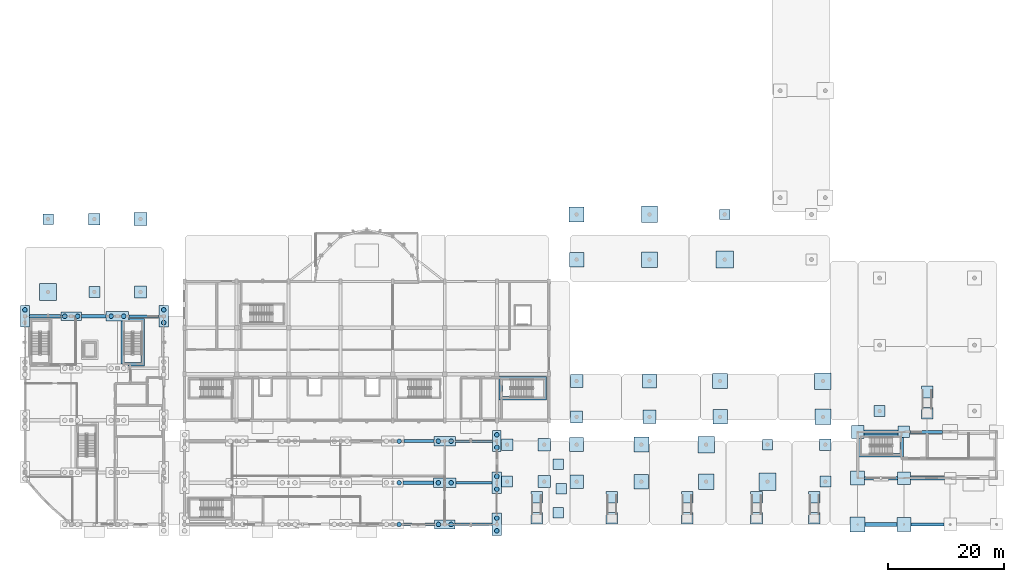
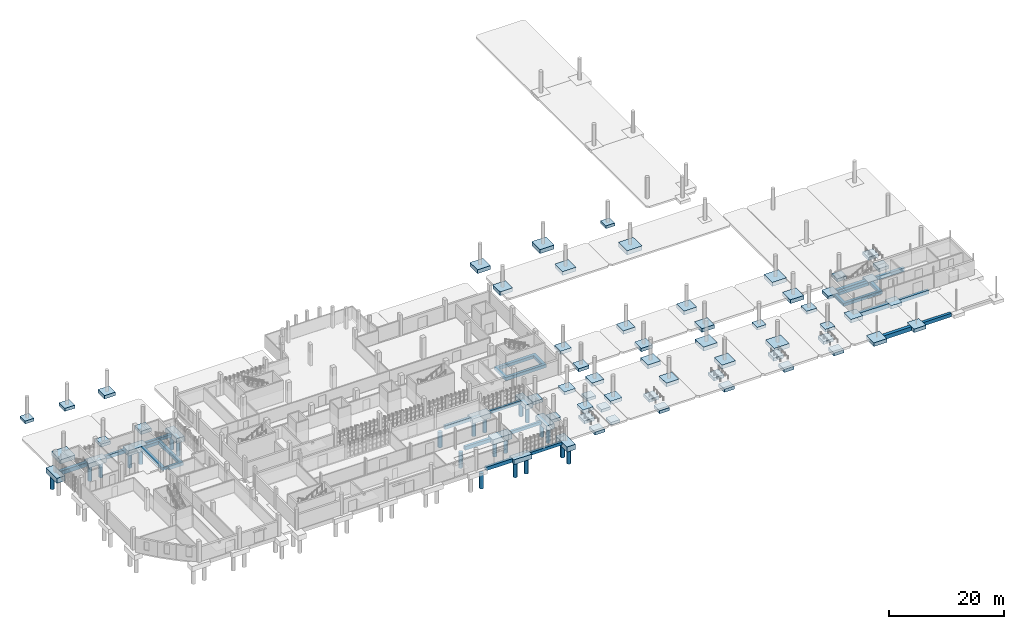
# One storey, part 2 of 63: 85 footings, 22 piles.
"""IFC4 building model written with IfcOpenShell, lengths in metres."""

from ifc_helpers import new_model, si_unit, direction, frame, origin, origin_2d, place, context, subcontext, project, spatial, polyline, rectangle, circle, outline, extrude, material, material_profile, profile_set, type_object, element, save


model = new_model("IFC4")

# Units and contexts
model_context = context("Model", 3, precision=1e-05, world=origin(), true_north=direction((0.0, 1.0)))
body_context = subcontext(model_context, "Body", "Model", "MODEL_VIEW")
ifc_project = project(units=[si_unit("LENGTHUNIT", "METRE"), si_unit("AREAUNIT", "SQUARE_METRE"), si_unit("VOLUMEUNIT", "CUBIC_METRE"), si_unit("PLANEANGLEUNIT", "RADIAN"), si_unit("MASSUNIT", "GRAM", prefix="KILO")], contexts=[model_context])

# Site, building, storey
site_placement = place(None, origin())
site = spatial("IfcSite", under=ifc_project, at=site_placement, CompositionType="ELEMENT")
building_placement = place(site_placement, origin())
building = spatial("IfcBuilding", under=site, at=building_placement, Name="Serraforn Aerial Cableway Station", CompositionType="ELEMENT")
storey_placement = place(building_placement, origin())
storey = spatial("IfcBuildingStorey", under=building, at=storey_placement, Name="L00", CompositionType="ELEMENT", Elevation=0.0)

# Footings
ifc_material = material(Name="Concrete C35/45", Category="concrete")
footing_type_1 = type_object("IfcFootingType", Name="FT-FB-450x650", PredefinedType="FOOTING_BEAM", material=ifc_material)
footing_1_placement = place(storey_placement, frame((0.0, 0.0, -0.64990234375)))
element("IfcFooting", 1, at=footing_1_placement, inside=storey, type_object=footing_type_1, Name="Footing Tie Beam W Y=36.0 #3", PredefinedType="FOOTING_BEAM", context=body_context, shape_type="SweptSolid", body=[
    extrude(outline(polyline([(23.195068359375, 36.22509765625), (23.195068359375, 35.77490234375), (17.955078125, 35.77490234375), (17.955078125, 36.22509765625), (23.195068359375, 36.22509765625)])), origin(), (0.0, 0.0, 1.0), 0.64990234375),
])
footing_2_placement = place(storey_placement, frame((0.0, 0.0, -0.64990234375)))
element("IfcFooting", 2, at=footing_2_placement, inside=storey, type_object=footing_type_1, Name="Footing Tie Beam CF Y=0.0 #6", PredefinedType="FOOTING_BEAM", context=body_context, shape_type="SweptSolid", body=[
    extrude(outline(polyline([(80.7451171875, 0.22509765625), (80.7451171875, -0.22509765625), (74.405029296875, -0.22509765625), (74.405029296875, 0.22509765625), (80.7451171875, 0.22509765625)])), origin(), (0.0, 0.0, 1.0), 0.64990234375),
])
footing_3_placement = place(storey_placement, frame((0.0, 0.0, -0.64990234375)))
element("IfcFooting", 3, at=footing_3_placement, inside=storey, type_object=footing_type_1, Name="Footing Tie Beam CF Y=7.2 #6", PredefinedType="FOOTING_BEAM", context=body_context, shape_type="SweptSolid", body=[
    extrude(outline(polyline([(80.794921875, 7.425048828125), (80.794921875, 6.97509765625), (74.554931640625, 6.97509765625), (74.554931640625, 7.425048828125), (80.794921875, 7.425048828125)])), origin(), (0.0, 0.0, 1.0), 0.64990234375),
])
footing_4_placement = place(storey_placement, frame((0.0, 0.0, -0.64990234375)))
element("IfcFooting", 4, at=footing_4_placement, inside=storey, type_object=footing_type_1, Name="Footing Tie Beam CF Y=14.4 #6", PredefinedType="FOOTING_BEAM", context=body_context, shape_type="SweptSolid", body=[
    extrude(outline(polyline([(80.844970703125, 14.625), (80.844970703125, 14.175048828125), (74.47998046875, 14.175048828125), (74.47998046875, 14.625), (80.844970703125, 14.625)])), origin(), (0.0, 0.0, 1.0), 0.64990234375),
])
footing_type_2 = type_object("IfcFootingType", Name="FT-FB-550x750", PredefinedType="FOOTING_BEAM", material=ifc_material)
footing_5_placement = place(storey_placement, frame((0.0, 0.0, -0.75)))
element("IfcFooting", 5, at=footing_5_placement, inside=storey, type_object=footing_type_2, Name="Footing Tie Beam W Y=36.0 #2", PredefinedType="FOOTING_BEAM", context=body_context, shape_type="SweptSolid", body=[
    extrude(outline(polyline([(14.044921875, 36.27490234375), (14.044921875, 35.72509765625), (9.804931640625, 35.72509765625), (9.804931640625, 36.27490234375), (14.044921875, 36.27490234375)])), origin(), (0.0, 0.0, 1.0), 0.75),
])
footing_6_placement = place(storey_placement, frame((0.0, 0.0, -0.75)))
element("IfcFooting", 6, at=footing_6_placement, inside=storey, type_object=footing_type_2, Name="Footing Tie Beam CF Y=0.0 #5", PredefinedType="FOOTING_BEAM", context=body_context, shape_type="SweptSolid", body=[
    extrude(outline(polyline([(70.794921875, 0.27490234375), (70.794921875, -0.27490234375), (65.47998046875, -0.27490234375), (65.47998046875, 0.27490234375), (70.794921875, 0.27490234375)])), origin(), (0.0, 0.0, 1.0), 0.75),
])
footing_7_placement = place(storey_placement, frame((0.0, 0.0, -0.75)))
element("IfcFooting", 7, at=footing_7_placement, inside=storey, type_object=footing_type_2, Name="Footing Tie Beam CF Y=7.2 #5", PredefinedType="FOOTING_BEAM", context=body_context, shape_type="SweptSolid", body=[
    extrude(outline(polyline([(70.64501953125, 7.47509765625), (70.64501953125, 6.925048828125), (65.405029296875, 6.925048828125), (65.405029296875, 7.47509765625), (70.64501953125, 7.47509765625)])), origin(), (0.0, 0.0, 1.0), 0.75),
])
footing_8_placement = place(storey_placement, frame((0.0, 0.0, -0.75)))
element("IfcFooting", 8, at=footing_8_placement, inside=storey, type_object=footing_type_2, Name="Footing Tie Beam CF Y=14.4 #5", PredefinedType="FOOTING_BEAM", context=body_context, shape_type="SweptSolid", body=[
    extrude(outline(polyline([(70.719970703125, 14.675048828125), (70.719970703125, 14.125), (65.554931640625, 14.125), (65.554931640625, 14.675048828125), (70.719970703125, 14.675048828125)])), origin(), (0.0, 0.0, 1.0), 0.75),
])
footing_9_placement = place(storey_placement, frame((0.0, 0.0, -0.75)))
element("IfcFooting", 9, at=footing_9_placement, inside=storey, type_object=footing_type_2, Name="Footing Tie Beam ES Y=0.0 #2", PredefinedType="FOOTING_BEAM", context=body_context, shape_type="SweptSolid", body=[
    extrude(outline(polyline([(158.89501953125, 0.27490234375), (158.89501953125, -0.27490234375), (153.205078125, -0.27490234375), (153.205078125, 0.27490234375), (158.89501953125, 0.27490234375)])), origin(), (0.0, 0.0, 1.0), 0.75),
])
footing_10_placement = place(storey_placement, frame((0.0, 0.0, -0.75)))
element("IfcFooting", 10, at=footing_10_placement, inside=storey, type_object=footing_type_2, Name="Footing Tie Beam ES Y=8.0 #2", PredefinedType="FOOTING_BEAM", context=body_context, shape_type="SweptSolid", body=[
    extrude(outline(polyline([(158.9951171875, 8.27490234375), (158.9951171875, 7.72509765625), (153.10498046875, 7.72509765625), (153.10498046875, 8.27490234375), (158.9951171875, 8.27490234375)])), origin(), (0.0, 0.0, 1.0), 0.75),
])
footing_11_placement = place(storey_placement, frame((0.0, 0.0, -0.75)))
element("IfcFooting", 11, at=footing_11_placement, inside=storey, type_object=footing_type_2, Name="Footing Tie Beam ES Y=16.0 #2", PredefinedType="FOOTING_BEAM", context=body_context, shape_type="SweptSolid", body=[
    extrude(outline(polyline([(158.695068359375, 16.27490234375), (158.695068359375, 15.72509765625), (153.0048828125, 15.72509765625), (153.0048828125, 16.27490234375), (158.695068359375, 16.27490234375)])), origin(), (0.0, 0.0, 1.0), 0.75),
])
footing_type_3 = type_object("IfcFootingType", Name="FT-FB-650x850", PredefinedType="FOOTING_BEAM", material=ifc_material)
footing_12_placement = place(storey_placement, frame((0.0, 0.0, -0.85009765625)))
element("IfcFooting", 12, at=footing_12_placement, inside=storey, type_object=footing_type_3, Name="Footing Tie Beam W Y=36.0 #1", PredefinedType="FOOTING_BEAM", context=body_context, shape_type="SweptSolid", body=[
    extrude(outline(polyline([(6.195068359375, 36.324951171875), (6.195068359375, 35.675048828125), (0.804931640625, 35.675048828125), (0.804931640625, 36.324951171875), (6.195068359375, 36.324951171875)])), origin(), (0.0, 0.0, 1.0), 0.85009765625),
])
footing_13_placement = place(storey_placement, frame((0.0, 0.0, -0.85009765625)))
element("IfcFooting", 13, at=footing_13_placement, inside=storey, type_object=footing_type_3, Name="Footing Tie Beam ES Y=0.0 #1", PredefinedType="FOOTING_BEAM", context=body_context, shape_type="SweptSolid", body=[
    extrude(outline(polyline([(150.794921875, 0.324951171875), (150.794921875, -0.324951171875), (145.304931640625, -0.324951171875), (145.304931640625, 0.324951171875), (150.794921875, 0.324951171875)])), origin(), (0.0, 0.0, 1.0), 0.85009765625),
])
footing_14_placement = place(storey_placement, frame((0.0, 0.0, -0.85009765625)))
element("IfcFooting", 14, at=footing_14_placement, inside=storey, type_object=footing_type_3, Name="Footing Tie Beam ES Y=8.0 #1", PredefinedType="FOOTING_BEAM", context=body_context, shape_type="SweptSolid", body=[
    extrude(outline(polyline([(150.89501953125, 8.324951171875), (150.89501953125, 7.675048828125), (145.205078125, 7.675048828125), (145.205078125, 8.324951171875), (150.89501953125, 8.324951171875)])), origin(), (0.0, 0.0, 1.0), 0.85009765625),
])
footing_15_placement = place(storey_placement, frame((0.0, 0.0, -0.85009765625)))
element("IfcFooting", 15, at=footing_15_placement, inside=storey, type_object=footing_type_3, Name="Footing Tie Beam ES Y=16.0 #1", PredefinedType="FOOTING_BEAM", context=body_context, shape_type="SweptSolid", body=[
    extrude(outline(polyline([(150.9951171875, 16.324951171875), (150.9951171875, 15.675048828125), (145.10498046875, 15.675048828125), (145.10498046875, 16.324951171875), (150.9951171875, 16.324951171875)])), origin(), (0.0, 0.0, 1.0), 0.85009765625),
])
footing_type_4 = type_object("IfcFootingType", Name="FT-PAD-180", PredefinedType="PAD_FOOTING", material=ifc_material)
for number, where, z_axis, x_axis, name in (
    (16, (92.25, 2.0, -0.985107421875), (0.0, 0.0, 1.0), (1.0, 0.0, 0.0), "Forecourt Joint Bay Pad Footing S01B-1"),
    (17, (92.75, 6.199951171875, -0.985107421875), (0.0, 0.0, 1.0), (1.0, 0.0, 0.0), "Forecourt Joint Bay Pad Footing S01B-2"),
    (18, (92.25, 10.39990234375, -0.985107421875), (0.0, 0.0, 1.0), (1.0, 0.0, 0.0), "Forecourt Joint Bay Pad Footing S01B-3"),
    (19, (128.39990234375, 13.800048828125, -0.60009765625), (0.0, 0.0, 1.0), (1.0, 0.0, 0.0), "Colonnade Pad Footing S-4-2"),
    (20, (4.0, 52.800048828125, -0.60009765625), (0.0, 0.0, 1.0), (1.0, 0.0, 0.0), "Colonnade Pad Footing W-1-2"),
    (21, (121.0, 53.60009765625, -0.60009765625), (0.0, 0.0, 1.0), (1.0, 0.0, 0.0), "Colonnade Pad Footing NP-3-2"),
):
    element("IfcFooting", number, at=place(storey_placement, frame(where, z_axis=z_axis, x_axis=x_axis)), inside=storey, type_object=footing_type_4, Name=name, PredefinedType="PAD_FOOTING", context=body_context, shape_type="SweptSolid", body=[
        extrude(rectangle(XDim=1.800048828125, YDim=1.800048828125, at=origin_2d()), origin(), (0.0, 0.0, 1.0), 0.60009765625),
    ])
footing_type_5 = type_object("IfcFootingType", Name="FT-PAD-190", PredefinedType="PAD_FOOTING", material=ifc_material)
for number, where, z_axis, x_axis, name in (
    (22, (83.39990234375, 7.39990234375, -0.6201171875), (0.0, 0.0, 1.0), (1.0, 0.0, 0.0), "Colonnade Pad Footing SW-1-1"),
    (23, (138.39990234375, 7.39990234375, -0.6201171875), (0.0, 0.0, 1.0), (1.0, 0.0, 0.0), "Colonnade Pad Footing S-5-1"),
    (24, (12.0, 40.199951171875, -0.6201171875), (0.0, 0.0, 1.0), (1.0, 0.0, 0.0), "Colonnade Pad Footing W-2-1"),
    (25, (147.800048828125, 19.60009765625, -0.6201171875), (0.0, 0.0, 1.0), (1.0, 0.0, 0.0), "Colonnade Pad Footing EF-1-1"),
):
    element("IfcFooting", number, at=place(storey_placement, frame(where, z_axis=z_axis, x_axis=x_axis)), inside=storey, type_object=footing_type_5, Name=name, PredefinedType="PAD_FOOTING", context=body_context, shape_type="SweptSolid", body=[
        extrude(rectangle(XDim=1.89990234375, YDim=1.89990234375, at=origin_2d()), origin(), (0.0, 0.0, 1.0), 0.6201171875),
    ])
footing_type_6 = type_object("IfcFootingType", Name="FT-PAD-200", PredefinedType="PAD_FOOTING", material=ifc_material)
for number, where, z_axis, x_axis, name in (
    (26, (152.0, 16.0, -0.64990234375), (0.0, 0.0, 1.0), (1.0, 0.0, 0.0), "Pad Footing ES-20-B3"),
    (27, (83.39990234375, 13.800048828125, -0.64990234375), (0.0, 0.0, 1.0), (1.0, 0.0, 0.0), "Colonnade Pad Footing SW-1-2"),
    (28, (138.39990234375, 13.800048828125, -0.64990234375), (0.0, 0.0, 1.0), (1.0, 0.0, 0.0), "Colonnade Pad Footing S-5-2"),
    (29, (12.0, 52.800048828125, -0.64990234375), (0.0, 0.0, 1.0), (1.0, 0.0, 0.0), "Colonnade Pad Footing W-2-2"),
    (30, (88.5, 1.06005859375, -1.099853515625), (0.0, 0.0, 1.0), (1.0, 0.0, 0.0), "Ramp Landing Footing RMP-01"),
    (31, (88.5, 4.699951171875, -0.89990234375), (0.0, 0.0, 1.0), (1.0, 0.0, 0.0), "Ramp Arrival Footing RMP-01"),
    (32, (101.5, 1.06005859375, -1.099853515625), (0.0, 0.0, 1.0), (1.0, 0.0, 0.0), "Ramp Landing Footing RMP-02"),
    (33, (101.5, 4.699951171875, -0.89990234375), (0.0, 0.0, 1.0), (1.0, 0.0, 0.0), "Ramp Arrival Footing RMP-02"),
    (34, (114.5, 1.06005859375, -1.099853515625), (0.0, 0.0, 1.0), (1.0, 0.0, 0.0), "Ramp Landing Footing RMP-03"),
    (35, (114.5, 4.699951171875, -0.89990234375), (0.0, 0.0, 1.0), (1.0, 0.0, 0.0), "Ramp Arrival Footing RMP-03"),
    (36, (126.5, 1.06005859375, -1.099853515625), (0.0, 0.0, 1.0), (1.0, 0.0, 0.0), "Ramp Landing Footing RMP-04"),
    (37, (126.5, 4.699951171875, -0.89990234375), (0.0, 0.0, 1.0), (1.0, 0.0, 0.0), "Ramp Arrival Footing RMP-04"),
    (38, (136.5, 1.06005859375, -1.099853515625), (0.0, 0.0, 1.0), (1.0, 0.0, 0.0), "Ramp Landing Footing RMP-05"),
    (39, (136.5, 4.699951171875, -0.89990234375), (0.0, 0.0, 1.0), (1.0, 0.0, 0.0), "Ramp Arrival Footing RMP-05"),
    (40, (156.0, 19.260009765625, -1.099853515625), (0.0, 0.0, 1.0), (1.0, 0.0, 0.0), "Ramp Landing Footing RMP-06"),
    (41, (156.0, 22.89990234375, -0.89990234375), (0.0, 0.0, 1.0), (1.0, 0.0, 0.0), "Ramp Arrival Footing RMP-06"),
):
    element("IfcFooting", number, at=place(storey_placement, frame(where, z_axis=z_axis, x_axis=x_axis)), inside=storey, type_object=footing_type_6, Name=name, PredefinedType="PAD_FOOTING", context=body_context, shape_type="SweptSolid", body=[
        extrude(rectangle(XDim=2.0, YDim=2.0, at=origin_2d()), origin(), (0.0, 0.0, 1.0), 0.64990234375),
    ])
footing_type_7 = type_object("IfcFootingType", Name="FT-PAD-210", PredefinedType="PAD_FOOTING", material=ifc_material)
for number, where, z_axis, x_axis, name in (
    (42, (89.800048828125, 7.39990234375, -0.68017578125), (0.0, 0.0, 1.0), (1.0, 0.0, 0.0), "Colonnade Pad Footing SW-2-1"),
    (43, (95.39990234375, 18.60009765625, -0.68017578125), (0.0, 0.0, 1.0), (1.0, 0.0, 0.0), "Colonnade Pad Footing C-1-1"),
    (44, (20.0, 40.199951171875, -0.68017578125), (0.0, 0.0, 1.0), (1.0, 0.0, 0.0), "Colonnade Pad Footing W-3-1"),
):
    element("IfcFooting", number, at=place(storey_placement, frame(where, z_axis=z_axis, x_axis=x_axis)), inside=storey, type_object=footing_type_7, Name=name, PredefinedType="PAD_FOOTING", context=body_context, shape_type="SweptSolid", body=[
        extrude(rectangle(XDim=2.10009765625, YDim=2.10009765625, at=origin_2d()), origin(), (0.0, 0.0, 1.0), 0.679931640625),
    ])
footing_type_8 = type_object("IfcFootingType", Name="FT-PAD-220", PredefinedType="PAD_FOOTING", material=ifc_material)
for number, where, z_axis, x_axis, name in (
    (45, (144.0, 16.0, -0.7001953125), (0.0, 0.0, 1.0), (1.0, 0.0, 0.0), "Pad Footing ES-19-B3"),
    (46, (152.0, 8.0, -0.7001953125), (0.0, 0.0, 1.0), (1.0, 0.0, 0.0), "Pad Footing ES-20-B0"),
    (47, (89.800048828125, 13.800048828125, -0.7001953125), (0.0, 0.0, 1.0), (1.0, 0.0, 0.0), "Colonnade Pad Footing SW-2-2"),
    (48, (95.39990234375, 24.800048828125, -0.7001953125), (0.0, 0.0, 1.0), (1.0, 0.0, 0.0), "Colonnade Pad Footing C-1-2"),
    (49, (20.0, 52.800048828125, -0.7001953125), (0.0, 0.0, 1.0), (1.0, 0.0, 0.0), "Colonnade Pad Footing W-3-2"),
):
    element("IfcFooting", number, at=place(storey_placement, frame(where, z_axis=z_axis, x_axis=x_axis)), inside=storey, type_object=footing_type_8, Name=name, PredefinedType="PAD_FOOTING", context=body_context, shape_type="SweptSolid", body=[
        extrude(rectangle(XDim=2.199951171875, YDim=2.199951171875, at=origin_2d()), origin(), (0.0, 0.0, 1.0), 0.699951171875),
    ])
footing_type_9 = type_object("IfcFootingType", Name="FT-PAD-230", PredefinedType="PAD_FOOTING", material=ifc_material)
for number, where, z_axis, x_axis, name in (
    (50, (95.39990234375, 7.39990234375, -0.72021484375), (0.0, 0.0, 1.0), (1.0, 0.0, 0.0), "Colonnade Pad Footing S-1-1"),
    (51, (108.0, 18.60009765625, -0.72021484375), (0.0, 0.0, 1.0), (1.0, 0.0, 0.0), "Colonnade Pad Footing C-2-1"),
):
    element("IfcFooting", number, at=place(storey_placement, frame(where, z_axis=z_axis, x_axis=x_axis)), inside=storey, type_object=footing_type_9, Name=name, PredefinedType="PAD_FOOTING", context=body_context, shape_type="SweptSolid", body=[
        extrude(rectangle(XDim=2.300048828125, YDim=2.300048828125, at=origin_2d()), origin(), (0.0, 0.0, 1.0), 0.719970703125),
    ])
footing_type_10 = type_object("IfcFootingType", Name="FT-PAD-240", PredefinedType="PAD_FOOTING", material=ifc_material)
for number, where, z_axis, x_axis, name in (
    (52, (144.0, 8.0, -0.75), (0.0, 0.0, 1.0), (1.0, 0.0, 0.0), "Pad Footing ES-19-B0"),
    (53, (152.0, 0.0, -0.75), (0.0, 0.0, 1.0), (1.0, 0.0, 0.0), "Pad Footing ES-20-A"),
    (54, (95.39990234375, 13.800048828125, -0.75), (0.0, 0.0, 1.0), (1.0, 0.0, 0.0), "Colonnade Pad Footing S-1-2"),
    (55, (108.0, 24.800048828125, -0.75), (0.0, 0.0, 1.0), (1.0, 0.0, 0.0), "Colonnade Pad Footing C-2-2"),
):
    element("IfcFooting", number, at=place(storey_placement, frame(where, z_axis=z_axis, x_axis=x_axis)), inside=storey, type_object=footing_type_10, Name=name, PredefinedType="PAD_FOOTING", context=body_context, shape_type="SweptSolid", body=[
        extrude(rectangle(XDim=2.39990234375, YDim=2.39990234375, at=origin_2d()), origin(), (0.0, 0.0, 1.0), 0.75),
    ])
footing_type_11 = type_object("IfcFootingType", Name="FT-PAD-250", PredefinedType="PAD_FOOTING", material=ifc_material)
for number, where, z_axis, x_axis, name in (
    (56, (106.60009765625, 7.39990234375, -0.77978515625), (0.0, 0.0, 1.0), (1.0, 0.0, 0.0), "Colonnade Pad Footing S-2-1"),
    (57, (120.199951171875, 18.60009765625, -0.77978515625), (0.0, 0.0, 1.0), (1.0, 0.0, 0.0), "Colonnade Pad Footing C-3-1"),
    (58, (95.39990234375, 45.800048828125, -0.77978515625), (0.0, 0.0, 1.0), (1.0, 0.0, 0.0), "Colonnade Pad Footing NP-1-1"),
):
    element("IfcFooting", number, at=place(storey_placement, frame(where, z_axis=z_axis, x_axis=x_axis)), inside=storey, type_object=footing_type_11, Name=name, PredefinedType="PAD_FOOTING", context=body_context, shape_type="SweptSolid", body=[
        extrude(rectangle(XDim=2.5, YDim=2.5, at=origin_2d()), origin(), (0.0, 0.0, 1.0), 0.780029296875),
    ])
footing_type_12 = type_object("IfcFootingType", Name="FT-PAD-260", PredefinedType="PAD_FOOTING", material=ifc_material)
for number, where, z_axis, x_axis, name in (
    (59, (144.0, 0.0, -0.7998046875), (0.0, 0.0, 1.0), (1.0, 0.0, 0.0), "Pad Footing ES-19-A"),
    (60, (106.60009765625, 13.800048828125, -0.7998046875), (0.0, 0.0, 1.0), (1.0, 0.0, 0.0), "Colonnade Pad Footing S-2-2"),
    (61, (120.199951171875, 24.800048828125, -0.7998046875), (0.0, 0.0, 1.0), (1.0, 0.0, 0.0), "Colonnade Pad Footing C-3-2"),
    (62, (95.39990234375, 53.60009765625, -0.7998046875), (0.0, 0.0, 1.0), (1.0, 0.0, 0.0), "Colonnade Pad Footing NP-1-2"),
):
    element("IfcFooting", number, at=place(storey_placement, frame(where, z_axis=z_axis, x_axis=x_axis)), inside=storey, type_object=footing_type_12, Name=name, PredefinedType="PAD_FOOTING", context=body_context, shape_type="SweptSolid", body=[
        extrude(rectangle(XDim=2.60009765625, YDim=2.60009765625, at=origin_2d()), origin(), (0.0, 0.0, 1.0), 0.800048828125),
    ])
footing_type_13 = type_object("IfcFootingType", Name="FT-PAD-270", PredefinedType="PAD_FOOTING", material=ifc_material)
for number, where, z_axis, x_axis, name in (
    (63, (117.800048828125, 7.39990234375, -0.81982421875), (0.0, 0.0, 1.0), (1.0, 0.0, 0.0), "Colonnade Pad Footing S-3-1"),
    (64, (138.0, 18.60009765625, -0.81982421875), (0.0, 0.0, 1.0), (1.0, 0.0, 0.0), "Colonnade Pad Footing C-4-1"),
    (65, (108.0, 45.800048828125, -0.81982421875), (0.0, 0.0, 1.0), (1.0, 0.0, 0.0), "Colonnade Pad Footing NP-2-1"),
):
    element("IfcFooting", number, at=place(storey_placement, frame(where, z_axis=z_axis, x_axis=x_axis)), inside=storey, type_object=footing_type_13, Name=name, PredefinedType="PAD_FOOTING", context=body_context, shape_type="SweptSolid", body=[
        extrude(rectangle(XDim=2.699951171875, YDim=2.699951171875, at=origin_2d()), origin(), (0.0, 0.0, 1.0), 0.820068359375),
    ])
footing_type_14 = type_object("IfcFootingType", Name="FT-PAD-285", PredefinedType="PAD_FOOTING", material=ifc_material)
for number, where, z_axis, x_axis, name in (
    (66, (117.800048828125, 13.800048828125, -0.85009765625), (0.0, 0.0, 1.0), (1.0, 0.0, 0.0), "Colonnade Pad Footing S-3-2"),
    (67, (138.0, 24.800048828125, -0.85009765625), (0.0, 0.0, 1.0), (1.0, 0.0, 0.0), "Colonnade Pad Footing C-4-2"),
    (68, (108.0, 53.60009765625, -0.85009765625), (0.0, 0.0, 1.0), (1.0, 0.0, 0.0), "Colonnade Pad Footing NP-2-2"),
):
    element("IfcFooting", number, at=place(storey_placement, frame(where, z_axis=z_axis, x_axis=x_axis)), inside=storey, type_object=footing_type_14, Name=name, PredefinedType="PAD_FOOTING", context=body_context, shape_type="SweptSolid", body=[
        extrude(rectangle(XDim=2.85009765625, YDim=2.85009765625, at=origin_2d()), origin(), (0.0, 0.0, 1.0), 0.85009765625),
    ])
footing_type_15 = type_object("IfcFootingType", Name="FT-PAD-300", PredefinedType="PAD_FOOTING", material=ifc_material)
for number, where, z_axis, x_axis, name in (
    (69, (128.39990234375, 7.39990234375, -0.8798828125), (0.0, 0.0, 1.0), (1.0, 0.0, 0.0), "Colonnade Pad Footing S-4-1"),
    (70, (4.0, 40.199951171875, -0.8798828125), (0.0, 0.0, 1.0), (1.0, 0.0, 0.0), "Colonnade Pad Footing W-1-1"),
    (71, (121.0, 45.800048828125, -0.8798828125), (0.0, 0.0, 1.0), (1.0, 0.0, 0.0), "Colonnade Pad Footing NP-3-1"),
):
    element("IfcFooting", number, at=place(storey_placement, frame(where, z_axis=z_axis, x_axis=x_axis)), inside=storey, type_object=footing_type_15, Name=name, PredefinedType="PAD_FOOTING", context=body_context, shape_type="SweptSolid", body=[
        extrude(rectangle(XDim=3.0, YDim=3.0, at=origin_2d()), origin(), (0.0, 0.0, 1.0), 0.8798828125),
    ])
footing_type_16 = type_object("IfcFootingType", Name="FT-PC2-150x360", PredefinedType="PILE_CAP", material=ifc_material)
footing_16_placement = place(storey_placement, frame((81.60009765625, 14.39990234375, -1.0), z_axis=(0.0, 0.0, 1.0), x_axis=(1.0, 0.0, 0.0)))
element("IfcFooting", 72, at=footing_16_placement, inside=storey, type_object=footing_type_16, Name="Pile Cap CF-11-B2", PredefinedType="PILE_CAP", context=body_context, shape_type="SweptSolid", body=[
    extrude(rectangle(XDim=1.5, YDim=3.60009765625, at=origin_2d()), origin(), (0.0, 0.0, 1.0), 1.0),
])
footing_type_17 = type_object("IfcFootingType", Name="FT-PC2-160x375", PredefinedType="PILE_CAP", material=ifc_material)
for number, where, z_axis, x_axis, name in (
    (73, (0.0, 36.0, -1.0498046875), (0.0, 0.0, 1.0), (1.0, 0.0, 0.0), "Pile Cap W-1-E"),
    (74, (24.0, 36.0, -1.0498046875), (0.0, 0.0, 1.0), (1.0, 0.0, 0.0), "Pile Cap W-4-E"),
    (75, (81.60009765625, 7.199951171875, -1.0498046875), (0.0, 0.0, 1.0), (1.0, 0.0, 0.0), "Pile Cap CF-11-B1"),
):
    element("IfcFooting", number, at=place(storey_placement, frame(where, z_axis=z_axis, x_axis=x_axis)), inside=storey, type_object=footing_type_17, Name=name, PredefinedType="PILE_CAP", context=body_context, shape_type="SweptSolid", body=[
        extrude(rectangle(XDim=1.60009765625, YDim=3.75, at=origin_2d()), origin(), (0.0, 0.0, 1.0), 1.050048828125),
    ])
footing_type_18 = type_object("IfcFootingType", Name="FT-PC2-170x390", PredefinedType="PILE_CAP", material=ifc_material)
footing_17_placement = place(storey_placement, frame((81.60009765625, 0.0, -1.10009765625), z_axis=(0.0, 0.0, 1.0), x_axis=(1.0, 0.0, 0.0)))
element("IfcFooting", 76, at=footing_17_placement, inside=storey, type_object=footing_type_18, Name="Pile Cap CF-11-A", PredefinedType="PILE_CAP", context=body_context, shape_type="SweptSolid", body=[
    extrude(rectangle(XDim=1.699951171875, YDim=3.89990234375, at=origin_2d()), origin(), (0.0, 0.0, 1.0), 1.10009765625),
])
footing_type_19 = type_object("IfcFootingType", Name="FT-PC2-360x150", PredefinedType="PILE_CAP", material=ifc_material)
for number, where, z_axis, x_axis, name in (
    (77, (8.0, 36.0, -1.0), (0.0, 0.0, 1.0), (1.0, 0.0, 0.0), "Pile Cap W-2-E"),
    (78, (72.60009765625, 0.0, -1.0), (0.0, 0.0, 1.0), (1.0, 0.0, 0.0), "Pile Cap CF-10-A"),
):
    element("IfcFooting", number, at=place(storey_placement, frame(where, z_axis=z_axis, x_axis=x_axis)), inside=storey, type_object=footing_type_19, Name=name, PredefinedType="PILE_CAP", context=body_context, shape_type="SweptSolid", body=[
        extrude(rectangle(XDim=3.60009765625, YDim=1.5, at=origin_2d()), origin(), (0.0, 0.0, 1.0), 1.0),
    ])
footing_type_20 = type_object("IfcFootingType", Name="FT-PC2-375x160", PredefinedType="PILE_CAP", material=ifc_material)
footing_18_placement = place(storey_placement, frame((72.60009765625, 14.39990234375, -1.0498046875), z_axis=(0.0, 0.0, 1.0), x_axis=(1.0, 0.0, 0.0)))
element("IfcFooting", 79, at=footing_18_placement, inside=storey, type_object=footing_type_20, Name="Pile Cap CF-10-B2", PredefinedType="PILE_CAP", context=body_context, shape_type="SweptSolid", body=[
    extrude(rectangle(XDim=3.75, YDim=1.60009765625, at=origin_2d()), origin(), (0.0, 0.0, 1.0), 1.050048828125),
])
footing_type_21 = type_object("IfcFootingType", Name="FT-PC2-390x170", PredefinedType="PILE_CAP", material=ifc_material)
for number, where, z_axis, x_axis, name in (
    (80, (16.0, 36.0, -1.10009765625), (0.0, 0.0, 1.0), (1.0, 0.0, 0.0), "Pile Cap W-3-E"),
    (81, (72.60009765625, 7.199951171875, -1.10009765625), (0.0, 0.0, 1.0), (1.0, 0.0, 0.0), "Pile Cap CF-10-B1"),
):
    element("IfcFooting", number, at=place(storey_placement, frame(where, z_axis=z_axis, x_axis=x_axis)), inside=storey, type_object=footing_type_21, Name=name, PredefinedType="PILE_CAP", context=body_context, shape_type="SweptSolid", body=[
        extrude(rectangle(XDim=3.89990234375, YDim=1.699951171875, at=origin_2d()), origin(), (0.0, 0.0, 1.0), 1.10009765625),
    ])
footing_type_22 = type_object("IfcFootingType", Name="FT-SF-900x650", PredefinedType="STRIP_FOOTING", material=ifc_material)
footing_19_placement = place(storey_placement, frame((0.0, 0.0, -0.64990234375)))
element("IfcFooting", 82, at=footing_19_placement, inside=storey, type_object=footing_type_22, Name="Stair Core Strip Footing ST-02", PredefinedType="STRIP_FOOTING", context=body_context, shape_type="SweptSolid", body=[
    extrude(outline(polyline([(20.699951171875, 35.60009765625), (20.699951171875, 27.39990234375), (17.804931640625, 27.39990234375), (17.804931640625, 27.7548828125), (16.639892578125, 27.7548828125), (16.639892578125, 35.14501953125), (17.955078125, 35.14501953125), (17.955078125, 35.60009765625), (20.699951171875, 35.60009765625)]), holes=[polyline([(20.10009765625, 28.0), (20.10009765625, 35.0), (17.239990234375, 35.0), (17.239990234375, 28.0), (20.10009765625, 28.0)])]), origin(), (0.0, 0.0, 1.0), 0.64990234375),
])
footing_20_placement = place(storey_placement, frame((0.0, 0.0, -0.64990234375)))
element("IfcFooting", 83, at=footing_20_placement, inside=storey, type_object=footing_type_22, Name="Stair Core Strip Footing ST-13", PredefinedType="STRIP_FOOTING", context=body_context, shape_type="SweptSolid", body=[
    extrude(outline(polyline([(82.0, 25.56005859375), (90.199951171875, 25.56005859375), (90.199951171875, 21.5), (82.0, 21.5), (82.0, 25.56005859375)]), holes=[polyline([(89.60009765625, 22.10009765625), (89.60009765625, 24.9599609375), (82.60009765625, 24.9599609375), (82.60009765625, 22.10009765625), (89.60009765625, 22.10009765625)])]), origin(), (0.0, 0.0, 1.0), 0.64990234375),
])
footing_21_placement = place(storey_placement, frame((0.0, 0.0, -0.64990234375)))
element("IfcFooting", 84, at=footing_21_placement, inside=storey, type_object=footing_type_22, Name="Stair Core Strip Footing ST-07", PredefinedType="STRIP_FOOTING", context=body_context, shape_type="SweptSolid", body=[
    extrude(outline(polyline([(151.89990234375, 11.639892578125), (144.10009765625, 11.639892578125), (144.10009765625, 14.89501953125), (144.699951171875, 14.89501953125), (144.699951171875, 12.239990234375), (151.300048828125, 12.239990234375), (151.300048828125, 14.9951171875), (151.89990234375, 14.9951171875), (151.89990234375, 11.639892578125)])), origin(), (0.0, 0.0, 1.0), 0.64990234375),
])
footing_22_placement = place(storey_placement, frame((0.0, 0.0, -0.64990234375)))
element("IfcFooting", 85, at=footing_22_placement, inside=storey, type_object=footing_type_22, Name="Stair Core Strip Footing ST-07 Seg 2", PredefinedType="STRIP_FOOTING", context=body_context, shape_type="SweptSolid", body=[
    extrude(outline(polyline([(150.9951171875, 15.60009765625), (150.9951171875, 15.0), (145.10498046875, 15.0), (145.10498046875, 15.60009765625), (150.9951171875, 15.60009765625)])), origin(), (0.0, 0.0, 1.0), 0.64990234375),
])

# Piles
ifc_material_profile_1 = material_profile(ifc_material, circle(Radius=0.39990234375, at=origin_2d()), Name="BORED PILE D800")
ifc_profile_set_1 = profile_set([ifc_material_profile_1], Name="Concrete C35/45")
pile_type_1 = type_object("IfcPileType", Name="PL-BORED-800A", PredefinedType="BORED", material=ifc_profile_set_1)
for number, where, z_axis, x_axis, name in (
    (86, (0.0, 37.10009765625, -0.949951171875), (0.0, 0.0, -1.0), (1.0, 0.0, 0.0), "Bored Pile W-1-E-2"),
    (87, (64.699951171875, 0.0, -0.949951171875), (0.0, 0.0, -1.0), (1.0, 0.0, 0.0), "Bored Pile CF-9-A-2"),
):
    element("IfcPile", number, at=place(storey_placement, frame(where, z_axis=z_axis, x_axis=x_axis)), inside=storey, type_object=pile_type_1, Name=name, PredefinedType="BORED", context=body_context, shape_type="SweptSolid", body=[
        extrude(circle(Radius=0.39990234375, at=origin_2d()), origin(), (0.0, 0.0, 1.0), 3.25),
    ])
for number, where, z_axis, x_axis, name in (
    (88, (81.60009765625, 13.300048828125, -0.89990234375), (0.0, 0.0, -1.0), (1.0, 0.0, 0.0), "Bored Pile CF-11-B2-1"),
    (89, (81.60009765625, 15.5, -0.89990234375), (0.0, 0.0, -1.0), (1.0, 0.0, 0.0), "Bored Pile CF-11-B2-2"),
):
    element("IfcPile", number, at=place(storey_placement, frame(where, z_axis=z_axis, x_axis=x_axis)), inside=storey, type_object=pile_type_1, Name=name, PredefinedType="BORED", context=body_context, shape_type="SweptSolid", body=[
        extrude(circle(Radius=0.39990234375, at=origin_2d()), origin(), (0.0, 0.0, 1.0), 3.300048828125),
    ])
ifc_material_profile_2 = material_profile(ifc_material, circle(Radius=0.39990234375, at=origin_2d()), Name="BORED PILE D800")
ifc_profile_set_2 = profile_set([ifc_material_profile_2], Name="Concrete C35/45")
pile_type_2 = type_object("IfcPileType", Name="PL-BORED-800B", PredefinedType="BORED", material=ifc_profile_set_2)
for number, where, z_axis, x_axis, name in (
    (90, (6.89990234375, 36.0, -0.89990234375), (0.0, 0.0, -1.0), (1.0, 0.0, 0.0), "Bored Pile W-2-E-1"),
    (91, (9.10009765625, 36.0, -0.89990234375), (0.0, 0.0, -1.0), (1.0, 0.0, 0.0), "Bored Pile W-2-E-2"),
    (92, (64.699951171875, 7.199951171875, -0.89990234375), (0.0, 0.0, -1.0), (1.0, 0.0, 0.0), "Bored Pile CF-9-B1-2"),
    (93, (71.5, 0.0, -0.89990234375), (0.0, 0.0, -1.0), (1.0, 0.0, 0.0), "Bored Pile CF-10-A-1"),
    (94, (73.699951171875, 0.0, -0.89990234375), (0.0, 0.0, -1.0), (1.0, 0.0, 0.0), "Bored Pile CF-10-A-2"),
):
    element("IfcPile", number, at=place(storey_placement, frame(where, z_axis=z_axis, x_axis=x_axis)), inside=storey, type_object=pile_type_2, Name=name, PredefinedType="BORED", context=body_context, shape_type="SweptSolid", body=[
        extrude(circle(Radius=0.39990234375, at=origin_2d()), origin(), (0.0, 0.0, 1.0), 3.300048828125),
    ])
ifc_material_profile_3 = material_profile(ifc_material, circle(Radius=0.39990234375, at=origin_2d()), Name="BORED PILE D800")
ifc_profile_set_3 = profile_set([ifc_material_profile_3], Name="Concrete C35/45")
pile_type_3 = type_object("IfcPileType", Name="PL-BORED-800C", PredefinedType="BORED", material=ifc_profile_set_3)
for number, where, z_axis, x_axis, name in (
    (95, (14.89990234375, 36.0, -1.0), (0.0, 0.0, -1.0), (1.0, 0.0, 0.0), "Bored Pile W-3-E-1"),
    (96, (17.10009765625, 36.0, -1.0), (0.0, 0.0, -1.0), (1.0, 0.0, 0.0), "Bored Pile W-3-E-2"),
    (97, (64.699951171875, 14.39990234375, -1.0), (0.0, 0.0, -1.0), (1.0, 0.0, 0.0), "Bored Pile CF-9-B2-2"),
    (98, (71.5, 7.199951171875, -1.0), (0.0, 0.0, -1.0), (1.0, 0.0, 0.0), "Bored Pile CF-10-B1-1"),
    (99, (73.699951171875, 7.199951171875, -1.0), (0.0, 0.0, -1.0), (1.0, 0.0, 0.0), "Bored Pile CF-10-B1-2"),
    (100, (81.60009765625, -1.10009765625, -1.0), (0.0, 0.0, -1.0), (1.0, 0.0, 0.0), "Bored Pile CF-11-A-1"),
    (101, (81.60009765625, 1.10009765625, -1.0), (0.0, 0.0, -1.0), (1.0, 0.0, 0.0), "Bored Pile CF-11-A-2"),
):
    element("IfcPile", number, at=place(storey_placement, frame(where, z_axis=z_axis, x_axis=x_axis)), inside=storey, type_object=pile_type_3, Name=name, PredefinedType="BORED", context=body_context, shape_type="SweptSolid", body=[
        extrude(circle(Radius=0.39990234375, at=origin_2d()), origin(), (0.0, 0.0, 1.0), 3.199951171875),
    ])
ifc_material_profile_4 = material_profile(ifc_material, circle(Radius=0.39990234375, at=origin_2d()), Name="BORED PILE D800")
ifc_profile_set_4 = profile_set([ifc_material_profile_4], Name="Concrete C35/45")
pile_type_4 = type_object("IfcPileType", Name="PL-BORED-800D", PredefinedType="BORED", material=ifc_profile_set_4)
for number, where, z_axis, x_axis, name in (
    (102, (24.0, 34.89990234375, -0.949951171875), (0.0, 0.0, -1.0), (1.0, 0.0, 0.0), "Bored Pile W-4-E-1"),
    (103, (24.0, 37.10009765625, -0.949951171875), (0.0, 0.0, -1.0), (1.0, 0.0, 0.0), "Bored Pile W-4-E-2"),
    (104, (71.5, 14.39990234375, -0.949951171875), (0.0, 0.0, -1.0), (1.0, 0.0, 0.0), "Bored Pile CF-10-B2-1"),
    (105, (73.699951171875, 14.39990234375, -0.949951171875), (0.0, 0.0, -1.0), (1.0, 0.0, 0.0), "Bored Pile CF-10-B2-2"),
    (106, (81.60009765625, 6.10009765625, -0.949951171875), (0.0, 0.0, -1.0), (1.0, 0.0, 0.0), "Bored Pile CF-11-B1-1"),
    (107, (81.60009765625, 8.300048828125, -0.949951171875), (0.0, 0.0, -1.0), (1.0, 0.0, 0.0), "Bored Pile CF-11-B1-2"),
):
    element("IfcPile", number, at=place(storey_placement, frame(where, z_axis=z_axis, x_axis=x_axis)), inside=storey, type_object=pile_type_4, Name=name, PredefinedType="BORED", context=body_context, shape_type="SweptSolid", body=[
        extrude(circle(Radius=0.39990234375, at=origin_2d()), origin(), (0.0, 0.0, 1.0), 3.25),
    ])

save(model, "model.ifc")
